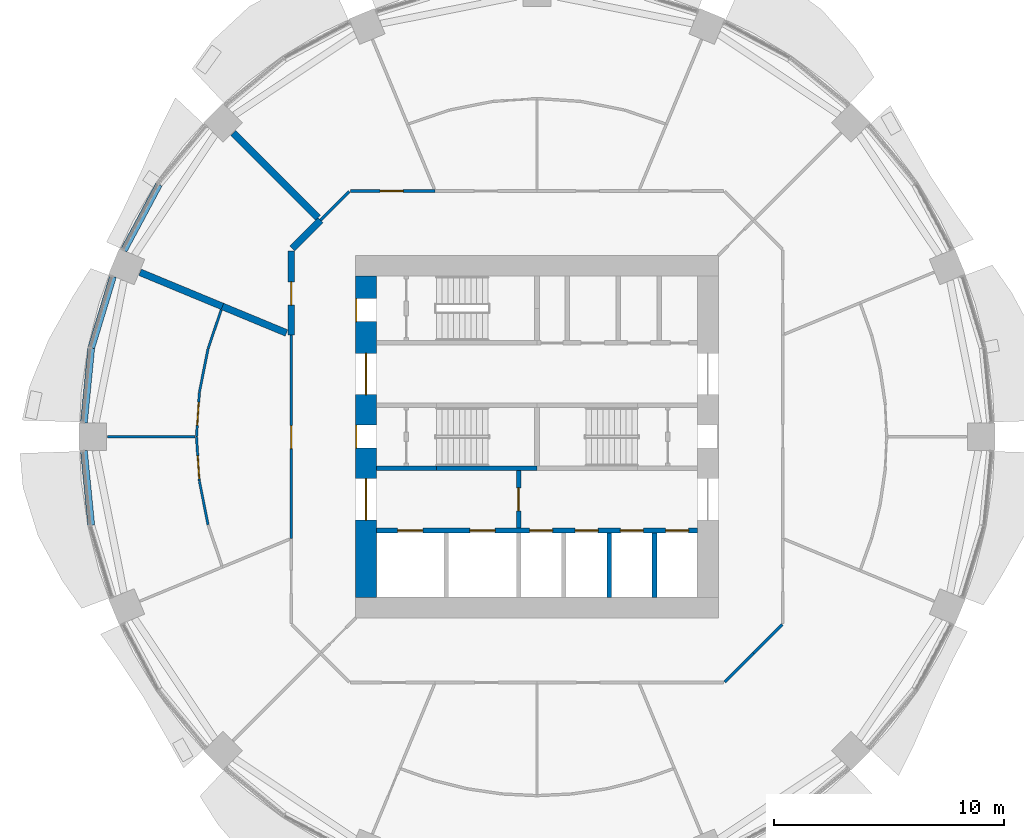
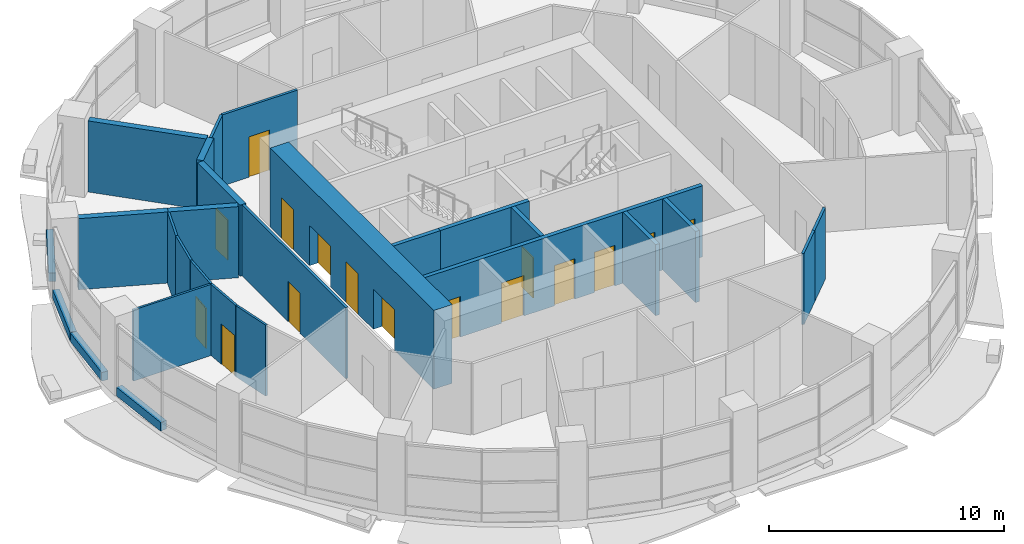
# One storey, part 8 of 14: 27 walls, 16 doors, 16 openings.
"""IFC4 building model written with IfcOpenShell, lengths in metres."""

import ifcopenshell
import ifcopenshell.guid

model = None  # the IFC model being written
_history = None  # IfcOwnerHistory: only IFC2X3 demands one
_inside = {}  # id of a spatial element -> (the spatial element, [elements in it])
_under = {}  # id of a project, library or spatial element -> (it, [spatial elements below it])
_declared = {}  # id of a project -> (the project, [libraries it declares])
_typed = {}  # id of a type object -> (the type object, [elements of that type])
_made_of = {}  # id of a material, layer set ... -> (it, [elements and type objects made of it])


def new_model(schema):
    """Start an empty IFC model of exactly this schema.

    Asked for "IFC4X3", IfcOpenShell would pick the latest addendum, in which some entities
    have other attributes; the version numbers below select the first issue.
    IFC2X3 requires an IfcOwnerHistory on every rooted entity: one is made here for all.
    """
    global model, _history
    if schema == "IFC4X3":
        model = ifcopenshell.file(schema_version=(4, 3, 0, 0))
    else:
        model = ifcopenshell.file(schema=schema)
    _inside.clear()
    _under.clear()
    _declared.clear()
    _typed.clear()
    _made_of.clear()
    _history = None
    if model.schema == "IFC2X3":
        org = make("IfcOrganization", Name="unknown")
        user = make(
            "IfcPersonAndOrganization",
            ThePerson=make("IfcPerson", FamilyName="unknown"),
            TheOrganization=org,
        )
        app = make(
            "IfcApplication",
            ApplicationDeveloper=org,
            Version="unknown",
            ApplicationFullName="unknown",
            ApplicationIdentifier="unknown",
        )
        _history = make(
            "IfcOwnerHistory",
            OwningUser=user,
            OwningApplication=app,
            ChangeAction="ADDED",
            CreationDate=0,
        )
    return model


def make(cls, **values):
    """One entity of the class cls with the attributes given. An attribute that is None is left unset."""
    return model.create_entity(
        cls, **{name: value for name, value in values.items() if value is not None}
    )


def rooted(cls, **values):
    """An entity with a GlobalId (a new one), such as an element, a storey or a relation."""
    return make(cls, GlobalId=ifcopenshell.guid.new(), OwnerHistory=_history, **values)


def si_unit(unit_type, name, prefix=None):
    """IfcSIUnit, for example si_unit("LENGTHUNIT", "METRE", prefix="MILLI")."""
    return make("IfcSIUnit", UnitType=unit_type, Prefix=prefix, Name=name)


def assignment(units):
    """IfcUnitAssignment: the units of a project."""
    return None if units is None else make("IfcUnitAssignment", Units=units)


def point(xyz):
    """IfcCartesianPoint."""
    return None if xyz is None else make("IfcCartesianPoint", Coordinates=xyz)


def direction(xyz):
    """IfcDirection."""
    return None if xyz is None else make("IfcDirection", DirectionRatios=xyz)


def frame(location, z_axis=None, x_axis=None):
    """IfcAxis2Placement3D, a coordinate frame: its origin and axes. An axis left out is left unset."""
    return make(
        "IfcAxis2Placement3D",
        Location=point(location),
        Axis=direction(z_axis),
        RefDirection=direction(x_axis),
    )


def frame_2d(location, x_axis=None):
    """IfcAxis2Placement2D, a coordinate frame in the plane: its origin and x axis."""
    return make(
        "IfcAxis2Placement2D", Location=point(location), RefDirection=direction(x_axis)
    )


def origin():
    """The frame at (0, 0, 0) with its axes left unset."""
    return frame((0.0, 0.0, 0.0))


def place(relative_to, where):
    """IfcLocalPlacement: puts the frame where relative to a parent placement (None: the world)."""
    return make(
        "IfcLocalPlacement", PlacementRelTo=relative_to, RelativePlacement=where
    )


def context(
    kind, dimensions, precision=None, world=None, true_north=None, identifier=None
):
    """IfcGeometricRepresentationContext, for example the 3D "Model" context."""
    return make(
        "IfcGeometricRepresentationContext",
        ContextIdentifier=identifier,
        ContextType=kind,
        CoordinateSpaceDimension=dimensions,
        Precision=precision,
        WorldCoordinateSystem=world,
        TrueNorth=true_north,
    )


def subcontext(parent, identifier, kind, view, scale=None):
    """IfcGeometricRepresentationSubContext, for example "Body" below "Model"."""
    return make(
        "IfcGeometricRepresentationSubContext",
        ContextIdentifier=identifier,
        ContextType=kind,
        ParentContext=parent,
        TargetScale=scale,
        TargetView=view,
    )


def project(units=None, contexts=None):
    """IfcProject with its units and contexts."""
    return rooted(
        "IfcProject",
        Name="project",
        RepresentationContexts=contexts,
        UnitsInContext=assignment(units),
    )


def spatial(cls, under=None, at=None, **own):
    """A site, building, storey or space (cls), placed at a placement, below another one or the project."""
    s = rooted(cls, ObjectPlacement=at, **own)
    if under is not None:
        _under.setdefault(under.id(), (under, []))[1].append(s)
    return s


def profile(cls, at=None, kind="AREA", **sizes):
    """A parametric profile (cls). Its sizes go by their IFC names, for example OverallWidth=200.0."""
    return make(cls, ProfileType=kind, Position=at, **sizes)


def rectangle(**sizes):
    """IfcRectangleProfileDef."""
    return profile("IfcRectangleProfileDef", **sizes)


def extrude(swept, where, along, depth):
    """IfcExtrudedAreaSolid: the profile swept, set in the frame where, extruded along a direction by depth."""
    return make(
        "IfcExtrudedAreaSolid",
        SweptArea=swept,
        Position=where,
        ExtrudedDirection=direction(along),
        Depth=depth,
    )


def shape(context_of_items, identifier, shape_type, items):
    """IfcShapeRepresentation: the items that make up one representation, for example the "Body"."""
    return make(
        "IfcShapeRepresentation",
        ContextOfItems=context_of_items,
        RepresentationIdentifier=identifier,
        RepresentationType=shape_type,
        Items=items,
    )


def material(Name=None, Category=None):
    """IfcMaterial."""
    return make("IfcMaterial", Name=Name, Category=Category)


def layer(
    of_material, thickness, ventilated=None, Name=None, Category=None, Priority=None
):
    """IfcMaterialLayer: one layer of a wall or slab, of a material (None: an air gap)."""
    return make(
        "IfcMaterialLayer",
        Material=of_material,
        LayerThickness=thickness,
        IsVentilated=ventilated,
        Name=Name,
        Category=Category,
        Priority=Priority,
    )


def layer_set(layers, Name=None):
    """IfcMaterialLayerSet."""
    return make("IfcMaterialLayerSet", MaterialLayers=layers, LayerSetName=Name)


def made_of(thing, what):
    """Note that an element or type object is made of a material, layer set ...; save() writes the relation."""
    if what is not None:
        _made_of.setdefault(what.id(), (what, []))[1].append(thing)
    return thing


def type_object(cls, material=None, **own):
    """A type object (cls), such as IfcWallType, which elements share."""
    return made_of(rooted(cls, **own), material)


def element(
    cls,
    number,
    at=None,
    inside=None,
    cuts=None,
    type_object=None,
    material=None,
    context=None,
    identifier="Body",
    shape_type=None,
    held_by="IfcProductDefinitionShape",
    body=None,
    shapes=None,
    **own,
):
    """One element of the class cls, such as IfcWall. Its Tag is "e" and its number.

    at: its placement. inside: the storey or other place that contains it. cuts: it is an
    opening in that element (IfcRelVoidsElement). A single representation is given by context,
    identifier, shape_type and body (its items); several are given by shapes. held_by: the class
    of the entity that holds the representations. save() writes the other relations.
    """
    e = rooted(cls, Tag="e%d" % number, ObjectPlacement=at, **own)
    if body is not None:
        shapes = [shape(context, identifier, shape_type, body)]
    if shapes is not None:
        e.Representation = make(held_by, Representations=shapes)
    if inside is not None:
        _inside.setdefault(inside.id(), (inside, []))[1].append(e)
    if cuts is not None:
        rooted(
            "IfcRelVoidsElement", RelatingBuildingElement=cuts, RelatedOpeningElement=e
        )
    if type_object is not None:
        _typed.setdefault(type_object.id(), (type_object, []))[1].append(e)
    return made_of(e, material)


def fill(opening, filler):
    """IfcRelFillsElement: the door or window that sits in an opening."""
    return rooted(
        "IfcRelFillsElement",
        RelatingOpeningElement=opening,
        RelatedBuildingElement=filler,
    )


def aggregate(whole, parts):
    """IfcRelAggregates: a whole, such as a stair, and the parts it consists of."""
    return rooted("IfcRelAggregates", RelatingObject=whole, RelatedObjects=parts)


def save(model, path):
    """Write the relations noted so far, then the file.

    IfcRelAggregates (storeys below a building ...), IfcRelContainedInSpatialStructure (elements
    in a storey), IfcRelDefinesByType, IfcRelAssociatesMaterial and IfcRelDeclares: one each for
    every whole, place, type object, material and project.
    """
    for whole, parts in _under.values():
        aggregate(whole, parts)
    for where, things in _inside.values():
        rooted(
            "IfcRelContainedInSpatialStructure",
            RelatedElements=things,
            RelatingStructure=where,
        )
    for kind, things in _typed.values():
        rooted("IfcRelDefinesByType", RelatedObjects=things, RelatingType=kind)
    for what, things in _made_of.values():
        rooted("IfcRelAssociatesMaterial", RelatedObjects=things, RelatingMaterial=what)
    for by, libraries in _declared.values():
        rooted("IfcRelDeclares", RelatingContext=by, RelatedDefinitions=libraries)
    model.write(path)


model = new_model("IFC4")

# Units and contexts
model_context = context("Model", 3, precision=1e-05, world=origin(), true_north=direction((0.0, 1.0)))
body_context = subcontext(model_context, "Body", "Model", "MODEL_VIEW")
ifc_project = project(units=[si_unit("LENGTHUNIT", "METRE"), si_unit("AREAUNIT", "SQUARE_METRE"), si_unit("VOLUMEUNIT", "CUBIC_METRE"), si_unit("PLANEANGLEUNIT", "RADIAN"), si_unit("MASSUNIT", "GRAM", prefix="KILO")], contexts=[model_context])

# Site, building, storey
site_placement = place(None, origin())
site = spatial("IfcSite", under=ifc_project, at=site_placement, CompositionType="ELEMENT")
building_placement = place(site_placement, origin())
building = spatial("IfcBuilding", under=site, at=building_placement, Name="Polderwave Tower", CompositionType="ELEMENT")
storey_placement = place(building_placement, frame((0.0, 0.0, 14.39990234375)))
storey = spatial("IfcBuildingStorey", under=building, at=storey_placement, Name="L03", CompositionType="ELEMENT", Elevation=14.39990234375)

# Wall, openings, doors
ifc_material_1 = material(Name="Concrete C80/95", Category="concrete")
ifc_layer_1 = layer(ifc_material_1, 0.89990234375)
ifc_layer_set_1 = layer_set([ifc_layer_1], Name="CORE WALL 900 C80/95")
wall_type_1 = type_object("IfcWallType", Name="CORE WALL 900 C80/95", PredefinedType="SHEAR", material=ifc_layer_set_1)
wall_1_placement = place(storey_placement, frame((-7.424072265625, -6.97412109375, 0.0), z_axis=(0.0, 0.0, 1.0), x_axis=(0.0, 1.0, 0.0)))
wall_1 = element("IfcWall", 1, at=wall_1_placement, inside=storey, type_object=wall_type_1, Name="ST-CORE-L03-W", PredefinedType="SHEAR", context=body_context, shape_type="SweptSolid", body=[
    extrude(rectangle(XDim=13.9482421875, YDim=0.89990234375, at=frame_2d((6.97412109375, 0.0))), origin(), (0.0, 0.0, 1.0), 4.10009765625),
])
opening_1_placement = place(wall_1_placement, frame((6.47412109375, 0.0, 0.0)))
opening_1 = element("IfcOpeningElement", 2, at=opening_1_placement, cuts=wall_1, Name="Opening L03-D18", PredefinedType="OPENING", context=body_context, shape_type="SweptSolid", body=[
    extrude(rectangle(XDim=1.0, YDim=2.10009765625, at=frame_2d((0.5, 1.050048828125))), frame((0.0, 0.4599609375, 0.0), z_axis=(0.0, -1.0, 0.0), x_axis=(1.0, 0.0, 0.0)), (0.0, 0.0, 1.0), 0.919921875),
])
opening_2_placement = place(wall_1_placement, frame((3.349609375, 0.0, 0.0)))
opening_2 = element("IfcOpeningElement", 3, at=opening_2_placement, cuts=wall_1, Name="Opening L03-D19", PredefinedType="OPENING", context=body_context, shape_type="SweptSolid", body=[
    extrude(rectangle(XDim=1.800048828125, YDim=2.10009765625, at=frame_2d((0.89990234375, 1.050048828125))), frame((0.0, 0.4599609375, 0.0), z_axis=(0.0, -1.0, 0.0), x_axis=(1.0, 0.0, 0.0)), (0.0, 0.0, 1.0), 0.919921875),
])
opening_3_placement = place(wall_1_placement, frame((8.798583984375, 0.0, 0.0)))
opening_3 = element("IfcOpeningElement", 4, at=opening_3_placement, cuts=wall_1, Name="Opening L03-D20", PredefinedType="OPENING", context=body_context, shape_type="SweptSolid", body=[
    extrude(rectangle(XDim=1.800048828125, YDim=2.10009765625, at=frame_2d((0.89990234375, 1.050048828125))), frame((0.0, 0.4599609375, 0.0), z_axis=(0.0, -1.0, 0.0), x_axis=(1.0, 0.0, 0.0)), (0.0, 0.0, 1.0), 0.919921875),
])
opening_4_placement = place(wall_1_placement, frame((11.97412109375, 0.0, 0.0)))
opening_4 = element("IfcOpeningElement", 5, at=opening_4_placement, cuts=wall_1, Name="Opening L03-D21", PredefinedType="OPENING", context=body_context, shape_type="SweptSolid", body=[
    extrude(rectangle(XDim=1.0, YDim=2.10009765625, at=frame_2d((0.5, 1.050048828125))), frame((0.0, 0.4599609375, 0.0), z_axis=(0.0, -1.0, 0.0), x_axis=(1.0, 0.0, 0.0)), (0.0, 0.0, 1.0), 0.919921875),
])
ifc_material_2 = material(Name="Steel fire door", Category="steel")
door_type_1 = type_object("IfcDoorType", Name="Lobby entry door pair 1800", OperationType="DOUBLE_DOOR_SINGLE_SWING", PredefinedType="DOOR", material=ifc_material_2)
door_1_placement = place(opening_2_placement, origin())
door_1 = element("IfcDoor", 6, at=door_1_placement, inside=storey, type_object=door_type_1, Name="Fire-fighting lobby entry door", OperationType="DOUBLE_DOOR_SINGLE_SWING", OverallHeight=2.10009765625, OverallWidth=1.800048828125, PredefinedType="DOOR", context=body_context, shape_type="SweptSolid", body=[
    extrude(rectangle(XDim=1.800048828125, YDim=2.10009765625, at=frame_2d((0.89990234375, 1.050048828125))), frame((0.0, 0.02490234375, 0.0), z_axis=(0.0, -1.0, 0.0), x_axis=(1.0, 0.0, 0.0)), (0.0, 0.0, 1.0), 0.050048828125),
])
fill(opening_2, door_1)
door_2_placement = place(opening_3_placement, origin())
door_2 = element("IfcDoor", 7, at=door_2_placement, inside=storey, type_object=door_type_1, Name="North lobby entry door", OperationType="DOUBLE_DOOR_SINGLE_SWING", OverallHeight=2.10009765625, OverallWidth=1.800048828125, PredefinedType="DOOR", context=body_context, shape_type="SweptSolid", body=[
    extrude(rectangle(XDim=1.800048828125, YDim=2.10009765625, at=frame_2d((0.89990234375, 1.050048828125))), frame((0.0, 0.02490234375, 0.0), z_axis=(0.0, -1.0, 0.0), x_axis=(1.0, 0.0, 0.0)), (0.0, 0.0, 1.0), 0.050048828125),
])
fill(opening_3, door_2)
door_type_2 = type_object("IfcDoorType", Name="Stair door 1000", OperationType="NOTDEFINED", PredefinedType="DOOR", material=ifc_material_2)
door_3_placement = place(opening_1_placement, origin())
door_3 = element("IfcDoor", 8, at=door_3_placement, inside=storey, type_object=door_type_2, Name="Stair A entry door", OperationType="SINGLE_SWING_RIGHT", OverallHeight=2.10009765625, OverallWidth=1.0, PredefinedType="DOOR", context=body_context, shape_type="SweptSolid", body=[
    extrude(rectangle(XDim=1.0, YDim=2.10009765625, at=frame_2d((0.5, 1.050048828125))), frame((0.0, 0.4501953125, 0.0), z_axis=(0.0, -1.0, 0.0), x_axis=(1.0, 0.0, 0.0)), (0.0, 0.0, 1.0), 0.050048828125),
])
fill(opening_1, door_3)
door_4_placement = place(opening_4_placement, origin())
door_4 = element("IfcDoor", 9, at=door_4_placement, inside=storey, type_object=door_type_2, Name="Stair C entry door", OperationType="SINGLE_SWING_RIGHT", OverallHeight=2.10009765625, OverallWidth=1.0, PredefinedType="DOOR", context=body_context, shape_type="SweptSolid", body=[
    extrude(rectangle(XDim=1.0, YDim=2.10009765625, at=frame_2d((0.5, 1.050048828125))), frame((0.0, 0.4501953125, 0.0), z_axis=(0.0, -1.0, 0.0), x_axis=(1.0, 0.0, 0.0)), (0.0, 0.0, 1.0), 0.050048828125),
])
fill(opening_4, door_4)

# Wall, opening, door
ifc_material_3 = material(Name="Insulated sandwich panel")
ifc_layer_2 = layer(ifc_material_3, 0.300048828125)
ifc_layer_set_2 = layer_set([ifc_layer_2], Name="Cold room wall 300 mm insulated panel")
wall_type_2 = type_object("IfcWallType", Name="Cold room wall 300 mm insulated panel", PredefinedType="PARTITIONING", material=ifc_layer_set_2)
wall_2_placement = place(storey_placement, frame((-10.674072265625, 4.42138671875, 0.0), z_axis=(0.0, 0.0, 1.0), x_axis=(0.0, 1.0, 0.0)))
wall_2 = element("IfcWall", 10, at=wall_2_placement, inside=storey, type_object=wall_type_2, Name="IN-L03-W014", PredefinedType="PARTITIONING", context=body_context, shape_type="SweptSolid", body=[
    extrude(rectangle(XDim=3.651611328125, YDim=0.300048828125, at=frame_2d((1.82568359375, 0.0))), origin(), (0.0, 0.0, 1.0), 3.7001953125),
])
opening_5_placement = place(wall_2_placement, frame((1.300048828125, 0.0, 0.0)))
opening_5 = element("IfcOpeningElement", 11, at=opening_5_placement, cuts=wall_2, Name="Opening L03-D59", PredefinedType="OPENING", context=body_context, shape_type="SweptSolid", body=[
    extrude(rectangle(XDim=1.0, YDim=2.10009765625, at=frame_2d((0.5, 1.050048828125))), frame((0.0, 0.159912109375, 0.0), z_axis=(0.0, -1.0, 0.0), x_axis=(1.0, 0.0, 0.0)), (0.0, 0.0, 1.0), 0.320068359375),
])
ifc_material_4 = material(Name="Steel plant door leaf", Category="steel")
door_type_3 = type_object("IfcDoorType", Name="Plant door FD60 1000 x 2100 steel", OperationType="NOTDEFINED", PredefinedType="DOOR", material=ifc_material_4)
door_5_placement = place(opening_5_placement, origin())
door_5 = element("IfcDoor", 12, at=door_5_placement, inside=storey, type_object=door_type_3, Name="Door L03-D59", OperationType="SINGLE_SWING_LEFT", OverallHeight=2.10009765625, OverallWidth=1.0, PredefinedType="DOOR", context=body_context, shape_type="SweptSolid", body=[
    extrude(rectangle(XDim=1.0, YDim=2.10009765625, at=frame_2d((0.5, 1.050048828125))), frame((0.0, 0.02490234375, 0.0), z_axis=(0.0, -1.0, 0.0), x_axis=(1.0, 0.0, 0.0)), (0.0, 0.0, 1.0), 0.050048828125),
])
fill(opening_5, door_5)

# Walls
wall_3_placement = place(storey_placement, frame((-10.630126953125, 8.178955078125, 0.0), z_axis=(0.0, 0.0, 1.0), x_axis=(0.707106781187, 0.707106781187, 0.0)))
element("IfcWall", 13, at=wall_3_placement, inside=storey, type_object=wall_type_2, Name="IN-L03-W015", PredefinedType="PARTITIONING", context=body_context, shape_type="SweptSolid", body=[
    extrude(rectangle(XDim=1.733154296875, YDim=0.300048828125, at=frame_2d((0.86669921875, 0.0))), origin(), (0.0, 0.0, 1.0), 3.7001953125),
])
wall_4_placement = place(storey_placement, frame((-9.510498046875, 9.510498046875, 0.0), z_axis=(0.0, 0.0, 1.0), x_axis=(-0.707106781187, 0.707106781187, 0.0)))
element("IfcWall", 14, at=wall_4_placement, inside=storey, type_object=wall_type_2, Name="IN-L03-W049", PredefinedType="PARTITIONING", context=body_context, shape_type="SweptSolid", body=[
    extrude(rectangle(XDim=5.2099609375, YDim=0.300048828125, at=frame_2d((2.60498046875, 0.0))), origin(), (0.0, 0.0, 1.0), 3.7001953125),
])
wall_5_placement = place(storey_placement, frame((-10.88134765625, 4.507080078125, 0.0), z_axis=(0.0, 0.0, 1.0), x_axis=(-0.923868654676, 0.382709692726, 0.0)))
element("IfcWall", 15, at=wall_5_placement, inside=storey, type_object=wall_type_2, Name="IN-L03-W050", PredefinedType="PARTITIONING", context=body_context, shape_type="SweptSolid", body=[
    extrude(rectangle(XDim=3.01220703125, YDim=0.300048828125, at=frame_2d((1.506103515625, 0.0))), origin(), (0.0, 0.0, 1.0), 3.7001953125),
])
wall_6_placement = place(storey_placement, frame((-13.664306640625, 5.659912109375, 0.0), z_axis=(0.0, 0.0, 1.0), x_axis=(-0.923873809035, 0.382697249768, 0.0)))
element("IfcWall", 16, at=wall_6_placement, inside=storey, type_object=wall_type_2, Name="IN-L03-W051", PredefinedType="PARTITIONING", context=body_context, shape_type="SweptSolid", body=[
    extrude(rectangle(XDim=3.869873046875, YDim=0.300048828125, at=frame_2d((1.93505859375, 0.0))), origin(), (0.0, 0.0, 1.0), 3.7001953125),
])
ifc_material_5 = material(Name="Concrete C50/60 (board-marked)", Category="concrete")
ifc_layer_3 = layer(ifc_material_5, 0.300048828125)
ifc_layer_set_3 = layer_set([ifc_layer_3], Name="Concrete spandrel upstand C50/60")
wall_type_3 = type_object("IfcWallType", Name="Concrete spandrel upstand C50/60", PredefinedType="SOLIDWALL", material=ifc_layer_set_3)
wall_7_placement = place(storey_placement, frame((-16.420166015625, 10.953857421875, 0.0), z_axis=(0.0, 0.0, 1.0), x_axis=(-0.471085080078, -0.882087777564, 0.0)))
element("IfcWall", 17, at=wall_7_placement, inside=storey, type_object=wall_type_3, Name="Spandrel L03 7b", PredefinedType="SOLIDWALL", context=body_context, shape_type="SweptSolid", body=[
    extrude(rectangle(XDim=3.238525390625, YDim=0.300048828125, at=frame_2d((1.619140625, 0.0))), origin(), (0.0, 0.0, 1.0), 0.4501953125),
])
wall_8_placement = place(storey_placement, frame((-18.41650390625, 6.963623046875, 0.0), z_axis=(0.0, 0.0, 1.0), x_axis=(-0.290390365963, -0.956908269039, 0.0)))
element("IfcWall", 18, at=wall_8_placement, inside=storey, type_object=wall_type_3, Name="Spandrel L03 8a", PredefinedType="SOLIDWALL", context=body_context, shape_type="SweptSolid", body=[
    extrude(rectangle(XDim=3.237548828125, YDim=0.300048828125, at=frame_2d((1.61865234375, 0.0))), origin(), (0.0, 0.0, 1.0), 0.4501953125),
])
for number, where, z_axis, x_axis, name in (
    (19, (-19.362548828125, 3.836181640625, 0.0), (0.0, 0.0, 1.0), (-0.097839315898, -0.995202224809, 0.0), "Spandrel L03 8b"),
    (20, (-19.679443359375, -0.61279296875, 0.0), (0.0, 0.0, 1.0), (0.097839315898, -0.995202224809, 0.0), "Spandrel L03 9a"),
):
    element("IfcWall", number, at=place(storey_placement, frame(where, z_axis=z_axis, x_axis=x_axis)), inside=storey, type_object=wall_type_3, Name=name, PredefinedType="SOLIDWALL", context=body_context, shape_type="SweptSolid", body=[
        extrude(rectangle(XDim=3.239013671875, YDim=0.300048828125, at=frame_2d((1.61962890625, 0.0))), origin(), (0.0, 0.0, 1.0), 0.4501953125),
    ])

# Wall, opening, door
ifc_material_6 = material(Name="Gypsum board partition")
ifc_layer_4 = layer(ifc_material_6, 0.199951171875)
ifc_layer_set_4 = layer_set([ifc_layer_4], Name="Core room partition 200")
wall_type_4 = type_object("IfcWallType", Name="Core room partition 200", PredefinedType="PARTITIONING", material=ifc_layer_set_4)
wall_9_placement = place(storey_placement, frame((-0.800048828125, -3.97412109375, 0.0), z_axis=(0.0, 0.0, 1.0), x_axis=(0.0, 1.0, 0.0)))
wall_9 = element("IfcWall", 21, at=wall_9_placement, inside=storey, type_object=wall_type_4, Name="L03 fire-fighting lobby wall", PredefinedType="PARTITIONING", context=body_context, shape_type="SweptSolid", body=[
    extrude(rectangle(XDim=2.4990234375, YDim=0.199951171875, at=frame_2d((1.24951171875, 0.0))), origin(), (0.0, 0.0, 1.0), 3.7001953125),
])
opening_6_placement = place(wall_9_placement, frame((0.74951171875, 0.0, 0.0)))
opening_6 = element("IfcOpeningElement", 22, at=opening_6_placement, cuts=wall_9, Name="Opening L03-D13", PredefinedType="OPENING", context=body_context, shape_type="SweptSolid", body=[
    extrude(rectangle(XDim=1.0, YDim=2.10009765625, at=frame_2d((0.5, 1.050048828125))), frame((0.0, 0.10986328125, 0.0), z_axis=(0.0, -1.0, 0.0), x_axis=(1.0, 0.0, 0.0)), (0.0, 0.0, 1.0), 0.219970703125),
])
door_type_4 = type_object("IfcDoorType", Name="Lobby fire door 1000", OperationType="NOTDEFINED", PredefinedType="DOOR", material=ifc_material_2)
door_6_placement = place(opening_6_placement, frame((1.0, 0.0, 0.0), z_axis=(0.0, 0.0, 1.0), x_axis=(-1.0, 0.0, 0.0)))
door_6 = element("IfcDoor", 23, at=door_6_placement, inside=storey, type_object=door_type_4, Name="Fire-fighting lobby door", OperationType="SINGLE_SWING_LEFT", OverallHeight=2.10009765625, OverallWidth=1.0, PredefinedType="DOOR", context=body_context, shape_type="SweptSolid", body=[
    extrude(rectangle(XDim=1.0, YDim=2.10009765625, at=frame_2d((0.5, 1.050048828125))), frame((0.0, 0.02490234375, 0.0), z_axis=(0.0, -1.0, 0.0), x_axis=(1.0, 0.0, 0.0)), (0.0, 0.0, 1.0), 0.050048828125),
])
fill(opening_6, door_6)

# Wall, openings, doors
ifc_material_7 = material(Name="Concrete C50/60", Category="concrete")
ifc_layer_5 = layer(ifc_material_7, 0.199951171875)
ifc_layer_set_5 = layer_set([ifc_layer_5], Name="Core web wall 200")
wall_type_5 = type_object("IfcWallType", Name="Core web wall 200", PredefinedType="SHEAR", material=ifc_layer_set_5)
wall_10_placement = place(storey_placement, frame((-6.97412109375, -4.073974609375, 0.0), z_axis=(0.0, 0.0, 1.0), x_axis=(1.0, 0.0, 0.0)))
wall_10 = element("IfcWall", 24, at=wall_10_placement, inside=storey, type_object=wall_type_5, Name="L03 south front wall", PredefinedType="SHEAR", context=body_context, shape_type="SweptSolid", body=[
    extrude(rectangle(XDim=13.9482421875, YDim=0.199951171875, at=frame_2d((6.97412109375, 0.0))), origin(), (0.0, 0.0, 1.0), 3.7001953125),
])
opening_7_placement = place(wall_10_placement, frame((0.91845703125, 0.0, 0.0)))
opening_7 = element("IfcOpeningElement", 25, at=opening_7_placement, cuts=wall_10, Name="Opening L03-D01", PredefinedType="OPENING", context=body_context, shape_type="SweptSolid", body=[
    extrude(rectangle(XDim=1.10009765625, YDim=2.10009765625, at=frame_2d((0.550048828125, 1.050048828125))), frame((0.0, 0.10986328125, 0.0), z_axis=(0.0, -1.0, 0.0), x_axis=(1.0, 0.0, 0.0)), (0.0, 0.0, 1.0), 0.219970703125),
])
opening_8_placement = place(wall_10_placement, frame((4.055419921875, 0.0, 0.0)))
opening_8 = element("IfcOpeningElement", 26, at=opening_8_placement, cuts=wall_10, Name="Opening L03-D02", PredefinedType="OPENING", context=body_context, shape_type="SweptSolid", body=[
    extrude(rectangle(XDim=1.10009765625, YDim=2.10009765625, at=frame_2d((0.550048828125, 1.050048828125))), frame((0.0, 0.10986328125, 0.0), z_axis=(0.0, -1.0, 0.0), x_axis=(1.0, 0.0, 0.0)), (0.0, 0.0, 1.0), 0.219970703125),
])
opening_9_placement = place(wall_10_placement, frame((6.658203125, 0.0, 0.0)))
opening_9 = element("IfcOpeningElement", 27, at=opening_9_placement, cuts=wall_10, Name="Opening L03-D03", PredefinedType="OPENING", context=body_context, shape_type="SweptSolid", body=[
    extrude(rectangle(XDim=1.0, YDim=2.10009765625, at=frame_2d((0.5, 1.050048828125))), frame((0.0, 0.10986328125, 0.0), z_axis=(0.0, -1.0, 0.0), x_axis=(1.0, 0.0, 0.0)), (0.0, 0.0, 1.0), 0.219970703125),
])
opening_10_placement = place(wall_10_placement, frame((8.626708984375, 0.0, 0.0)))
opening_10 = element("IfcOpeningElement", 28, at=opening_10_placement, cuts=wall_10, Name="Opening L03-D04", PredefinedType="OPENING", context=body_context, shape_type="SweptSolid", body=[
    extrude(rectangle(XDim=1.0, YDim=2.10009765625, at=frame_2d((0.5, 1.050048828125))), frame((0.0, 0.10986328125, 0.0), z_axis=(0.0, -1.0, 0.0), x_axis=(1.0, 0.0, 0.0)), (0.0, 0.0, 1.0), 0.219970703125),
])
opening_11_placement = place(wall_10_placement, frame((10.59521484375, 0.0, 0.0)))
opening_11 = element("IfcOpeningElement", 29, at=opening_11_placement, cuts=wall_10, Name="Opening L03-D05", PredefinedType="OPENING", context=body_context, shape_type="SweptSolid", body=[
    extrude(rectangle(XDim=1.0, YDim=2.10009765625, at=frame_2d((0.5, 1.050048828125))), frame((0.0, 0.10986328125, 0.0), z_axis=(0.0, -1.0, 0.0), x_axis=(1.0, 0.0, 0.0)), (0.0, 0.0, 1.0), 0.219970703125),
])
opening_12_placement = place(wall_10_placement, frame((12.563720703125, 0.0, 0.0)))
opening_12 = element("IfcOpeningElement", 30, at=opening_12_placement, cuts=wall_10, Name="Opening L03-D06", PredefinedType="OPENING", context=body_context, shape_type="SweptSolid", body=[
    extrude(rectangle(XDim=1.0, YDim=2.10009765625, at=frame_2d((0.5, 1.050048828125))), frame((0.0, 0.10986328125, 0.0), z_axis=(0.0, -1.0, 0.0), x_axis=(1.0, 0.0, 0.0)), (0.0, 0.0, 1.0), 0.219970703125),
])
ifc_material_8 = material(Name="Stainless steel", Category="steel")
door_type_5 = type_object("IfcDoorType", Name="Fire-fighting lift landing door 1100", OperationType="DOUBLE_DOOR_SLIDING", PredefinedType="DOOR", material=ifc_material_8)
door_7_placement = place(opening_7_placement, origin())
door_7 = element("IfcDoor", 31, at=door_7_placement, inside=storey, type_object=door_type_5, Name="Fire-fighting lift FF1 landing door", OperationType="DOUBLE_DOOR_SLIDING", OverallHeight=2.10009765625, OverallWidth=1.10009765625, PredefinedType="DOOR", context=body_context, shape_type="SweptSolid", body=[
    extrude(rectangle(XDim=1.10009765625, YDim=2.10009765625, at=frame_2d((0.550048828125, 1.050048828125))), frame((0.0, 0.02490234375, 0.0), z_axis=(0.0, -1.0, 0.0), x_axis=(1.0, 0.0, 0.0)), (0.0, 0.0, 1.0), 0.050048828125),
])
fill(opening_7, door_7)
door_8_placement = place(opening_8_placement, origin())
door_8 = element("IfcDoor", 32, at=door_8_placement, inside=storey, type_object=door_type_5, Name="Fire-fighting lift FF2 landing door", OperationType="DOUBLE_DOOR_SLIDING", OverallHeight=2.10009765625, OverallWidth=1.10009765625, PredefinedType="DOOR", context=body_context, shape_type="SweptSolid", body=[
    extrude(rectangle(XDim=1.10009765625, YDim=2.10009765625, at=frame_2d((0.550048828125, 1.050048828125))), frame((0.0, 0.02490234375, 0.0), z_axis=(0.0, -1.0, 0.0), x_axis=(1.0, 0.0, 0.0)), (0.0, 0.0, 1.0), 0.050048828125),
])
fill(opening_8, door_8)
door_type_6 = type_object("IfcDoorType", Name="Lift landing door 1000", OperationType="DOUBLE_DOOR_SLIDING", PredefinedType="DOOR", material=ifc_material_8)
door_9_placement = place(opening_9_placement, origin())
door_9 = element("IfcDoor", 33, at=door_9_placement, inside=storey, type_object=door_type_6, Name="Lift LL1 landing door", OperationType="DOUBLE_DOOR_SLIDING", OverallHeight=2.10009765625, OverallWidth=1.0, PredefinedType="DOOR", context=body_context, shape_type="SweptSolid", body=[
    extrude(rectangle(XDim=1.0, YDim=2.10009765625, at=frame_2d((0.5, 1.050048828125))), frame((0.0, 0.02490234375, 0.0), z_axis=(0.0, -1.0, 0.0), x_axis=(1.0, 0.0, 0.0)), (0.0, 0.0, 1.0), 0.050048828125),
])
fill(opening_9, door_9)
door_10_placement = place(opening_10_placement, origin())
door_10 = element("IfcDoor", 34, at=door_10_placement, inside=storey, type_object=door_type_6, Name="Lift LL2 landing door", OperationType="DOUBLE_DOOR_SLIDING", OverallHeight=2.10009765625, OverallWidth=1.0, PredefinedType="DOOR", context=body_context, shape_type="SweptSolid", body=[
    extrude(rectangle(XDim=1.0, YDim=2.10009765625, at=frame_2d((0.5, 1.050048828125))), frame((0.0, 0.02490234375, 0.0), z_axis=(0.0, -1.0, 0.0), x_axis=(1.0, 0.0, 0.0)), (0.0, 0.0, 1.0), 0.050048828125),
])
fill(opening_10, door_10)
door_11_placement = place(opening_11_placement, origin())
door_11 = element("IfcDoor", 35, at=door_11_placement, inside=storey, type_object=door_type_6, Name="Lift LL3 landing door", OperationType="DOUBLE_DOOR_SLIDING", OverallHeight=2.10009765625, OverallWidth=1.0, PredefinedType="DOOR", context=body_context, shape_type="SweptSolid", body=[
    extrude(rectangle(XDim=1.0, YDim=2.10009765625, at=frame_2d((0.5, 1.050048828125))), frame((0.0, 0.02490234375, 0.0), z_axis=(0.0, -1.0, 0.0), x_axis=(1.0, 0.0, 0.0)), (0.0, 0.0, 1.0), 0.050048828125),
])
fill(opening_11, door_11)
door_12_placement = place(opening_12_placement, origin())
door_12 = element("IfcDoor", 36, at=door_12_placement, inside=storey, type_object=door_type_6, Name="Lift LL4 landing door", OperationType="DOUBLE_DOOR_SLIDING", OverallHeight=2.10009765625, OverallWidth=1.0, PredefinedType="DOOR", context=body_context, shape_type="SweptSolid", body=[
    extrude(rectangle(XDim=1.0, YDim=2.10009765625, at=frame_2d((0.5, 1.050048828125))), frame((0.0, 0.02490234375, 0.0), z_axis=(0.0, -1.0, 0.0), x_axis=(1.0, 0.0, 0.0)), (0.0, 0.0, 1.0), 0.050048828125),
])
fill(opening_12, door_12)

# Walls
wall_11_placement = place(storey_placement, frame((-6.97412109375, -1.375, 0.0), z_axis=(0.0, 0.0, 1.0), x_axis=(1.0, 0.0, 0.0)))
element("IfcWall", 37, at=wall_11_placement, inside=storey, type_object=wall_type_5, Name="L03 south stair wall 1", PredefinedType="SHEAR", context=body_context, shape_type="SweptSolid", body=[
    extrude(rectangle(XDim=2.60009765625, YDim=0.199951171875, at=frame_2d((1.300048828125, 0.0))), origin(), (0.0, 0.0, 1.0), 3.7001953125),
])
wall_12_placement = place(storey_placement, frame((-4.3740234375, -1.375, 0.0), z_axis=(0.0, 0.0, 1.0), x_axis=(1.0, 0.0, 0.0)))
element("IfcWall", 38, at=wall_12_placement, inside=storey, type_object=wall_type_5, Name="L03 south stair wall 2", PredefinedType="SHEAR", context=body_context, shape_type="SweptSolid", body=[
    extrude(rectangle(XDim=4.3740234375, YDim=0.199951171875, at=frame_2d((2.18701171875, 0.0))), origin(), (0.0, 0.0, 1.0), 3.7001953125),
])
ifc_material_9 = material(Name="Fire-resisting board on steel studs", Category="steel")
ifc_layer_6 = layer(ifc_material_9, 0.125)
ifc_layer_set_6 = layer_set([ifc_layer_6], Name="Corridor wall 125 mm EI 60")
wall_type_6 = type_object("IfcWallType", Name="Corridor wall 125 mm EI 60", PredefinedType="PARTITIONING", material=ifc_layer_set_6)
for number, where, z_axis, x_axis, name in (
    (39, (10.65576171875, -8.1533203125, 0.0), (0.0, 0.0, 1.0), (-0.707106781187, -0.707106781187, 0.0), "IN-L03-W005"),
    (40, (-9.404541015625, 9.404541015625, 0.0), (0.0, 0.0, 1.0), (0.707106781187, 0.707106781187, 0.0), "IN-L03-W011"),
):
    element("IfcWall", number, at=place(storey_placement, frame(where, z_axis=z_axis, x_axis=x_axis)), inside=storey, type_object=wall_type_6, Name=name, PredefinedType="PARTITIONING", context=body_context, shape_type="SweptSolid", body=[
        extrude(rectangle(XDim=1.76953125, YDim=0.125, at=frame_2d((0.884765625, 0.0))), origin(), (0.0, 0.0, 1.0), 3.7001953125),
    ])

# Wall, opening, door
wall_13_placement = place(storey_placement, frame((-8.109130859375, 10.674072265625, 0.0), z_axis=(0.0, 0.0, 1.0), x_axis=(1.0, 0.0, 0.0)))
wall_13 = element("IfcWall", 41, at=wall_13_placement, inside=storey, type_object=wall_type_6, Name="IN-L03-W012", PredefinedType="PARTITIONING", context=body_context, shape_type="SweptSolid", body=[
    extrude(rectangle(XDim=3.687744140625, YDim=0.125, at=frame_2d((1.84375, 0.0))), origin(), (0.0, 0.0, 1.0), 3.7001953125),
])
opening_13_placement = place(wall_13_placement, frame((1.300048828125, 0.0, 0.0)))
opening_13 = element("IfcOpeningElement", 42, at=opening_13_placement, cuts=wall_13, Name="Opening L03-D57", PredefinedType="OPENING", context=body_context, shape_type="SweptSolid", body=[
    extrude(rectangle(XDim=1.0, YDim=2.10009765625, at=frame_2d((0.5, 1.050048828125))), frame((0.0, 0.072509765625, 0.0), z_axis=(0.0, -1.0, 0.0), x_axis=(1.0, 0.0, 0.0)), (0.0, 0.0, 1.0), 0.14501953125),
])
ifc_material_10 = material(Name="Timber fire door leaf", Category="wood")
door_type_7 = type_object("IfcDoorType", Name="Fire door FD30S 1000 x 2100", OperationType="NOTDEFINED", PredefinedType="DOOR", material=ifc_material_10)
door_13_placement = place(opening_13_placement, origin())
door_13 = element("IfcDoor", 43, at=door_13_placement, inside=storey, type_object=door_type_7, Name="Door L03-D57", OperationType="SINGLE_SWING_LEFT", OverallHeight=2.10009765625, OverallWidth=1.0, PredefinedType="DOOR", context=body_context, shape_type="SweptSolid", body=[
    extrude(rectangle(XDim=1.0, YDim=2.10009765625, at=frame_2d((0.5, 1.050048828125))), frame((0.0, 0.02490234375, 0.0), z_axis=(0.0, -1.0, 0.0), x_axis=(1.0, 0.0, 0.0)), (0.0, 0.0, 1.0), 0.050048828125),
])
fill(opening_13, door_13)

wall_14_placement = place(storey_placement, frame((-10.674072265625, -4.42138671875, 0.0), z_axis=(0.0, 0.0, 1.0), x_axis=(0.0, 1.0, 0.0)))
wall_14 = element("IfcWall", 44, at=wall_14_placement, inside=storey, type_object=wall_type_6, Name="IN-L03-W016", PredefinedType="PARTITIONING", context=body_context, shape_type="SweptSolid", body=[
    extrude(rectangle(XDim=8.8427734375, YDim=0.125, at=frame_2d((4.42138671875, 0.0))), origin(), (0.0, 0.0, 1.0), 3.7001953125),
])
opening_14_placement = place(wall_14_placement, frame((3.89990234375, 0.0, 0.0)))
opening_14 = element("IfcOpeningElement", 45, at=opening_14_placement, cuts=wall_14, Name="Opening L03-D60", PredefinedType="OPENING", context=body_context, shape_type="SweptSolid", body=[
    extrude(rectangle(XDim=1.0, YDim=2.10009765625, at=frame_2d((0.5, 1.050048828125))), frame((0.0, 0.072509765625, 0.0), z_axis=(0.0, -1.0, 0.0), x_axis=(1.0, 0.0, 0.0)), (0.0, 0.0, 1.0), 0.14501953125),
])
door_14_placement = place(opening_14_placement, origin())
door_14 = element("IfcDoor", 46, at=door_14_placement, inside=storey, type_object=door_type_7, Name="Door L03-D60", OperationType="SINGLE_SWING_LEFT", OverallHeight=2.10009765625, OverallWidth=1.0, PredefinedType="DOOR", context=body_context, shape_type="SweptSolid", body=[
    extrude(rectangle(XDim=1.0, YDim=2.10009765625, at=frame_2d((0.5, 1.050048828125))), frame((0.0, 0.02490234375, 0.0), z_axis=(0.0, -1.0, 0.0), x_axis=(1.0, 0.0, 0.0)), (0.0, 0.0, 1.0), 0.050048828125),
])
fill(opening_14, door_14)

# Wall
wall_15_placement = place(storey_placement, frame((9.404541015625, -9.404541015625, 0.0), z_axis=(0.0, 0.0, 1.0), x_axis=(-0.707106781187, -0.707106781187, 0.0)))
element("IfcWall", 47, at=wall_15_placement, inside=storey, type_object=wall_type_6, Name="IN-L03-W024", PredefinedType="PARTITIONING", context=body_context, shape_type="SweptSolid", body=[
    extrude(rectangle(XDim=1.76953125, YDim=0.125, at=frame_2d((0.884765625, 0.0))), origin(), (0.0, 0.0, 1.0), 3.7001953125),
])

# Wall, opening, door
ifc_material_11 = material(Name="Moisture-resistant board on steel studs, tiled", Category="steel")
ifc_layer_7 = layer(ifc_material_11, 0.10498046875)
ifc_layer_set_7 = layer_set([ifc_layer_7], Name="Partition 105 mm wet room board and tile")
wall_type_7 = type_object("IfcWallType", Name="Partition 105 mm wet room board and tile", PredefinedType="PARTITIONING", material=ifc_layer_set_7)
wall_16_placement = place(storey_placement, frame((-14.7900390625, 0.0, 0.0), z_axis=(0.0, 0.0, 1.0), x_axis=(0.065361014816, 0.997861682671, 0.0)))
wall_16 = element("IfcWall", 48, at=wall_16_placement, inside=storey, type_object=wall_type_7, Name="IN-L03-W052", PredefinedType="PARTITIONING", context=body_context, shape_type="SweptSolid", body=[
    extrude(rectangle(XDim=1.93115234375, YDim=0.10498046875, at=frame_2d((0.965576171875, 0.0))), origin(), (0.0, 0.0, 1.0), 3.7001953125),
])
opening_15_placement = place(wall_16_placement, frame((0.5, 0.0, 0.0)))
opening_15 = element("IfcOpeningElement", 49, at=opening_15_placement, cuts=wall_16, Name="Opening L03-D68", PredefinedType="OPENING", context=body_context, shape_type="SweptSolid", body=[
    extrude(rectangle(XDim=1.0, YDim=2.10009765625, at=frame_2d((0.5, 1.050048828125))), frame((0.0, 0.0625, 0.0), z_axis=(0.0, -1.0, 0.0), x_axis=(1.0, 0.0, 0.0)), (0.0, 0.0, 1.0), 0.125),
])
ifc_material_12 = material(Name="Timber veneer door leaf", Category="wood")
door_type_8 = type_object("IfcDoorType", Name="Single door 1000 x 2100", OperationType="NOTDEFINED", PredefinedType="DOOR", material=ifc_material_12)
door_15_placement = place(opening_15_placement, origin())
door_15 = element("IfcDoor", 50, at=door_15_placement, inside=storey, type_object=door_type_8, Name="Door L03-D68", OperationType="SINGLE_SWING_RIGHT", OverallHeight=2.10009765625, OverallWidth=1.0, PredefinedType="DOOR", context=body_context, shape_type="SweptSolid", body=[
    extrude(rectangle(XDim=1.0, YDim=2.10009765625, at=frame_2d((0.5, 1.050048828125))), frame((0.0, 0.02490234375, 0.0), z_axis=(0.0, -1.0, 0.0), x_axis=(1.0, 0.0, 0.0)), (0.0, 0.0, 1.0), 0.050048828125),
])
fill(opening_15, door_15)

# Walls
wall_17_placement = place(storey_placement, frame((-14.662841796875, 1.933837890625, 0.0), z_axis=(0.0, 0.0, 1.0), x_axis=(0.195166175304, 0.980770189197, 0.0)))
element("IfcWall", 51, at=wall_17_placement, inside=storey, type_object=wall_type_7, Name="IN-L03-W053", PredefinedType="PARTITIONING", context=body_context, shape_type="SweptSolid", body=[
    extrude(rectangle(XDim=1.927734375, YDim=0.10498046875, at=frame_2d((0.9638671875, 0.0))), origin(), (0.0, 0.0, 1.0), 3.7001953125),
])
wall_18_placement = place(storey_placement, frame((-14.284912109375, 3.831298828125, 0.0), z_axis=(0.0, 0.0, 1.0), x_axis=(0.321415120384, 0.946938393132, 0.0)))
element("IfcWall", 52, at=wall_18_placement, inside=storey, type_object=wall_type_7, Name="IN-L03-W054", PredefinedType="PARTITIONING", context=body_context, shape_type="SweptSolid", body=[
    extrude(rectangle(XDim=1.77734375, YDim=0.10498046875, at=frame_2d((0.888671875, 0.0))), origin(), (0.0, 0.0, 1.0), 3.7001953125),
])

# Wall, opening, door
wall_19_placement = place(storey_placement, frame((-14.663818359375, -1.927001953125, 0.0), z_axis=(0.0, 0.0, 1.0), x_axis=(-0.065361014816, 0.997861682671, 0.0)))
wall_19 = element("IfcWall", 53, at=wall_19_placement, inside=storey, type_object=wall_type_7, Name="IN-L03-W055", PredefinedType="PARTITIONING", context=body_context, shape_type="SweptSolid", body=[
    extrude(rectangle(XDim=1.93115234375, YDim=0.10498046875, at=frame_2d((0.965576171875, 0.0))), origin(), (0.0, 0.0, 1.0), 3.7001953125),
])
opening_16_placement = place(wall_19_placement, frame((0.10009765625, 0.0, 0.0)))
opening_16 = element("IfcOpeningElement", 54, at=opening_16_placement, cuts=wall_19, Name="Opening L03-D69", PredefinedType="OPENING", context=body_context, shape_type="SweptSolid", body=[
    extrude(rectangle(XDim=1.0, YDim=2.10009765625, at=frame_2d((0.5, 1.050048828125))), frame((0.0, 0.0625, 0.0), z_axis=(0.0, -1.0, 0.0), x_axis=(1.0, 0.0, 0.0)), (0.0, 0.0, 1.0), 0.125),
])
door_16_placement = place(opening_16_placement, origin())
door_16 = element("IfcDoor", 55, at=door_16_placement, inside=storey, type_object=door_type_8, Name="Door L03-D69", OperationType="SINGLE_SWING_LEFT", OverallHeight=2.10009765625, OverallWidth=1.0, PredefinedType="DOOR", context=body_context, shape_type="SweptSolid", body=[
    extrude(rectangle(XDim=1.0, YDim=2.10009765625, at=frame_2d((0.5, 1.050048828125))), frame((0.0, 0.02490234375, 0.0), z_axis=(0.0, -1.0, 0.0), x_axis=(1.0, 0.0, 0.0)), (0.0, 0.0, 1.0), 0.050048828125),
])
fill(opening_16, door_16)

# Walls
wall_20_placement = place(storey_placement, frame((-14.28662109375, -3.824462890625, 0.0), z_axis=(0.0, 0.0, 1.0), x_axis=(-0.195166175304, 0.980770189197, 0.0)))
element("IfcWall", 56, at=wall_20_placement, inside=storey, type_object=wall_type_7, Name="IN-L03-W056", PredefinedType="PARTITIONING", context=body_context, shape_type="SweptSolid", body=[
    extrude(rectangle(XDim=1.927734375, YDim=0.10498046875, at=frame_2d((0.9638671875, 0.0))), origin(), (0.0, 0.0, 1.0), 3.7001953125),
])
wall_21_placement = place(storey_placement, frame((-14.84619140625, 0.0, 0.0), z_axis=(0.0, 0.0, 1.0), x_axis=(-1.0, 0.0, 0.0)))
element("IfcWall", 57, at=wall_21_placement, inside=storey, type_object=wall_type_7, Name="IN-L03-W059", PredefinedType="PARTITIONING", context=body_context, shape_type="SweptSolid", body=[
    extrude(rectangle(XDim=3.813720703125, YDim=0.10498046875, at=frame_2d((1.90673828125, 0.0))), origin(), (0.0, 0.0, 1.0), 3.7001953125),
])
ifc_material_13 = material(Name="Gypsum shaft wall system")
ifc_layer_8 = layer(ifc_material_13, 0.199951171875)
ifc_layer_set_8 = layer_set([ifc_layer_8], Name="Shaft wall 200")
wall_type_8 = type_object("IfcWallType", Name="Shaft wall 200", PredefinedType="PARTITIONING", material=ifc_layer_set_8)
for number, where, z_axis, x_axis, name in (
    (58, (3.136962890625, -6.97412109375, 0.0), (0.0, 0.0, 1.0), (0.0, 1.0, 0.0), "L03 lift shaft wall 2"),
    (59, (5.10546875, -6.97412109375, 0.0), (0.0, 0.0, 1.0), (0.0, 1.0, 0.0), "L03 lift shaft wall 3"),
):
    element("IfcWall", number, at=place(storey_placement, frame(where, z_axis=z_axis, x_axis=x_axis)), inside=storey, type_object=wall_type_8, Name=name, PredefinedType="PARTITIONING", context=body_context, shape_type="SweptSolid", body=[
        extrude(rectangle(XDim=2.800048828125, YDim=0.199951171875, at=frame_2d((1.39990234375, 0.0))), origin(), (0.0, 0.0, 1.0), 3.7001953125),
    ])

save(model, "model.ifc")
